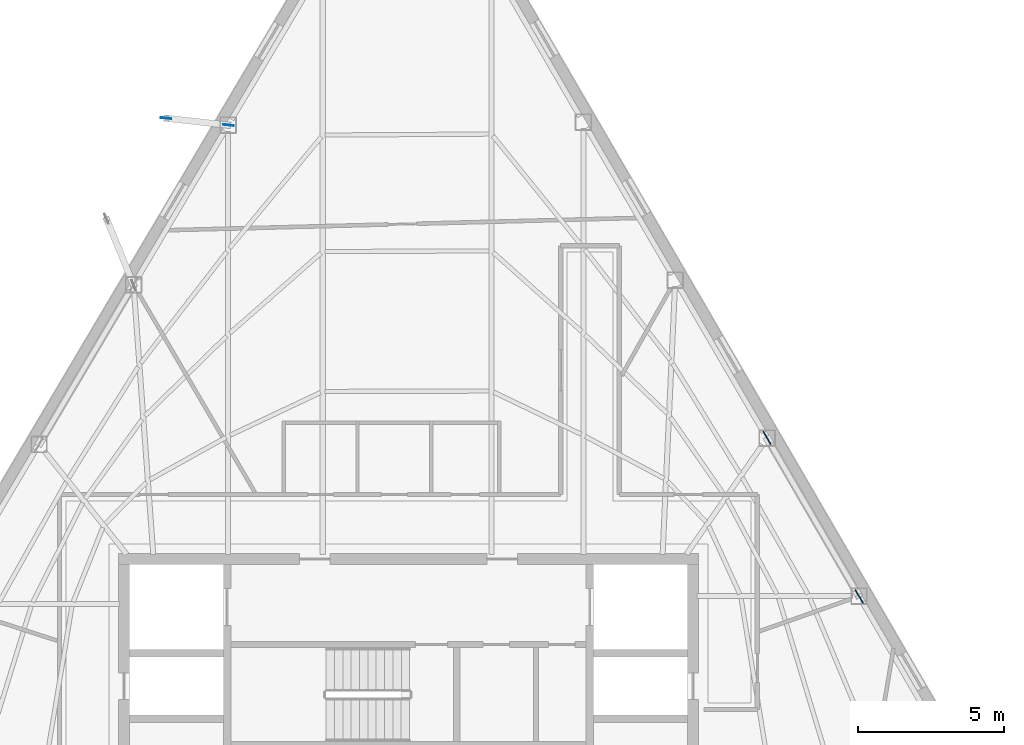
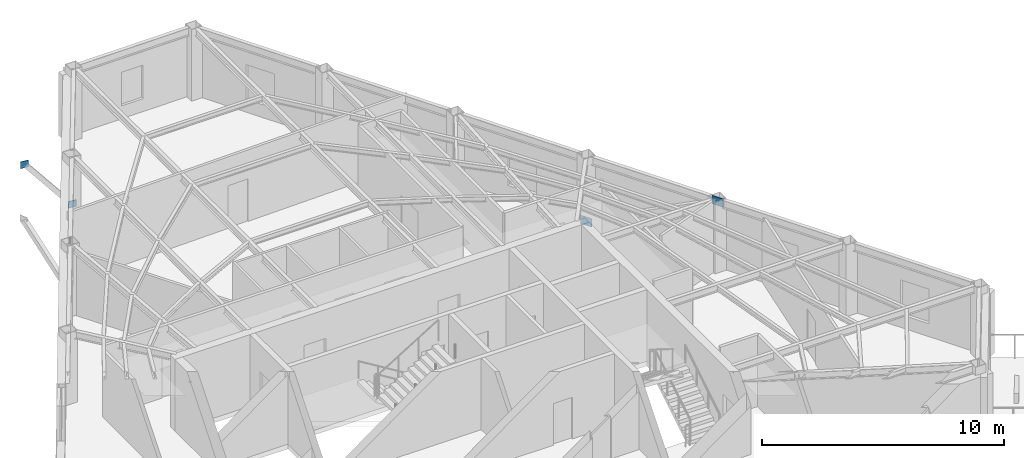
# One storey, part 5 of 10: 4 plates.
"""IFC4 building model written with IfcOpenShell, lengths in metres."""

import ifcopenshell
import ifcopenshell.guid

model = None  # the IFC model being written
_history = None  # IfcOwnerHistory: only IFC2X3 demands one
_inside = {}  # id of a spatial element -> (the spatial element, [elements in it])
_under = {}  # id of a project, library or spatial element -> (it, [spatial elements below it])
_declared = {}  # id of a project -> (the project, [libraries it declares])
_typed = {}  # id of a type object -> (the type object, [elements of that type])
_made_of = {}  # id of a material, layer set ... -> (it, [elements and type objects made of it])


def new_model(schema):
    """Start an empty IFC model of exactly this schema.

    Asked for "IFC4X3", IfcOpenShell would pick the latest addendum, in which some entities
    have other attributes; the version numbers below select the first issue.
    IFC2X3 requires an IfcOwnerHistory on every rooted entity: one is made here for all.
    """
    global model, _history
    if schema == "IFC4X3":
        model = ifcopenshell.file(schema_version=(4, 3, 0, 0))
    else:
        model = ifcopenshell.file(schema=schema)
    _inside.clear()
    _under.clear()
    _declared.clear()
    _typed.clear()
    _made_of.clear()
    _history = None
    if model.schema == "IFC2X3":
        org = make("IfcOrganization", Name="unknown")
        user = make(
            "IfcPersonAndOrganization",
            ThePerson=make("IfcPerson", FamilyName="unknown"),
            TheOrganization=org,
        )
        app = make(
            "IfcApplication",
            ApplicationDeveloper=org,
            Version="unknown",
            ApplicationFullName="unknown",
            ApplicationIdentifier="unknown",
        )
        _history = make(
            "IfcOwnerHistory",
            OwningUser=user,
            OwningApplication=app,
            ChangeAction="ADDED",
            CreationDate=0,
        )
    return model


def make(cls, **values):
    """One entity of the class cls with the attributes given. An attribute that is None is left unset."""
    return model.create_entity(
        cls, **{name: value for name, value in values.items() if value is not None}
    )


def rooted(cls, **values):
    """An entity with a GlobalId (a new one), such as an element, a storey or a relation."""
    return make(cls, GlobalId=ifcopenshell.guid.new(), OwnerHistory=_history, **values)


def si_unit(unit_type, name, prefix=None):
    """IfcSIUnit, for example si_unit("LENGTHUNIT", "METRE", prefix="MILLI")."""
    return make("IfcSIUnit", UnitType=unit_type, Prefix=prefix, Name=name)


def assignment(units):
    """IfcUnitAssignment: the units of a project."""
    return None if units is None else make("IfcUnitAssignment", Units=units)


def point(xyz):
    """IfcCartesianPoint."""
    return None if xyz is None else make("IfcCartesianPoint", Coordinates=xyz)


def direction(xyz):
    """IfcDirection."""
    return None if xyz is None else make("IfcDirection", DirectionRatios=xyz)


def frame(location, z_axis=None, x_axis=None):
    """IfcAxis2Placement3D, a coordinate frame: its origin and axes. An axis left out is left unset."""
    return make(
        "IfcAxis2Placement3D",
        Location=point(location),
        Axis=direction(z_axis),
        RefDirection=direction(x_axis),
    )


def frame_2d(location, x_axis=None):
    """IfcAxis2Placement2D, a coordinate frame in the plane: its origin and x axis."""
    return make(
        "IfcAxis2Placement2D", Location=point(location), RefDirection=direction(x_axis)
    )


def origin():
    """The frame at (0, 0, 0) with its axes left unset."""
    return frame((0.0, 0.0, 0.0))


def origin_2d():
    """The frame at (0, 0) in the plane with its x axis left unset."""
    return frame_2d((0.0, 0.0))


def place(relative_to, where):
    """IfcLocalPlacement: puts the frame where relative to a parent placement (None: the world)."""
    return make(
        "IfcLocalPlacement", PlacementRelTo=relative_to, RelativePlacement=where
    )


def context(
    kind, dimensions, precision=None, world=None, true_north=None, identifier=None
):
    """IfcGeometricRepresentationContext, for example the 3D "Model" context."""
    return make(
        "IfcGeometricRepresentationContext",
        ContextIdentifier=identifier,
        ContextType=kind,
        CoordinateSpaceDimension=dimensions,
        Precision=precision,
        WorldCoordinateSystem=world,
        TrueNorth=true_north,
    )


def subcontext(parent, identifier, kind, view, scale=None):
    """IfcGeometricRepresentationSubContext, for example "Body" below "Model"."""
    return make(
        "IfcGeometricRepresentationSubContext",
        ContextIdentifier=identifier,
        ContextType=kind,
        ParentContext=parent,
        TargetScale=scale,
        TargetView=view,
    )


def project(units=None, contexts=None):
    """IfcProject with its units and contexts."""
    return rooted(
        "IfcProject",
        Name="project",
        RepresentationContexts=contexts,
        UnitsInContext=assignment(units),
    )


def spatial(cls, under=None, at=None, **own):
    """A site, building, storey or space (cls), placed at a placement, below another one or the project."""
    s = rooted(cls, ObjectPlacement=at, **own)
    if under is not None:
        _under.setdefault(under.id(), (under, []))[1].append(s)
    return s


def profile(cls, at=None, kind="AREA", **sizes):
    """A parametric profile (cls). Its sizes go by their IFC names, for example OverallWidth=200.0."""
    return make(cls, ProfileType=kind, Position=at, **sizes)


def rectangle(**sizes):
    """IfcRectangleProfileDef."""
    return profile("IfcRectangleProfileDef", **sizes)


def extrude(swept, where, along, depth):
    """IfcExtrudedAreaSolid: the profile swept, set in the frame where, extruded along a direction by depth."""
    return make(
        "IfcExtrudedAreaSolid",
        SweptArea=swept,
        Position=where,
        ExtrudedDirection=direction(along),
        Depth=depth,
    )


def shape(context_of_items, identifier, shape_type, items):
    """IfcShapeRepresentation: the items that make up one representation, for example the "Body"."""
    return make(
        "IfcShapeRepresentation",
        ContextOfItems=context_of_items,
        RepresentationIdentifier=identifier,
        RepresentationType=shape_type,
        Items=items,
    )


def material(Name=None, Category=None):
    """IfcMaterial."""
    return make("IfcMaterial", Name=Name, Category=Category)


def layer(
    of_material, thickness, ventilated=None, Name=None, Category=None, Priority=None
):
    """IfcMaterialLayer: one layer of a wall or slab, of a material (None: an air gap)."""
    return make(
        "IfcMaterialLayer",
        Material=of_material,
        LayerThickness=thickness,
        IsVentilated=ventilated,
        Name=Name,
        Category=Category,
        Priority=Priority,
    )


def layer_set(layers, Name=None):
    """IfcMaterialLayerSet."""
    return make("IfcMaterialLayerSet", MaterialLayers=layers, LayerSetName=Name)


def made_of(thing, what):
    """Note that an element or type object is made of a material, layer set ...; save() writes the relation."""
    if what is not None:
        _made_of.setdefault(what.id(), (what, []))[1].append(thing)
    return thing


def type_object(cls, material=None, **own):
    """A type object (cls), such as IfcWallType, which elements share."""
    return made_of(rooted(cls, **own), material)


def element(
    cls,
    number,
    at=None,
    inside=None,
    cuts=None,
    type_object=None,
    material=None,
    context=None,
    identifier="Body",
    shape_type=None,
    held_by="IfcProductDefinitionShape",
    body=None,
    shapes=None,
    **own,
):
    """One element of the class cls, such as IfcWall. Its Tag is "e" and its number.

    at: its placement. inside: the storey or other place that contains it. cuts: it is an
    opening in that element (IfcRelVoidsElement). A single representation is given by context,
    identifier, shape_type and body (its items); several are given by shapes. held_by: the class
    of the entity that holds the representations. save() writes the other relations.
    """
    e = rooted(cls, Tag="e%d" % number, ObjectPlacement=at, **own)
    if body is not None:
        shapes = [shape(context, identifier, shape_type, body)]
    if shapes is not None:
        e.Representation = make(held_by, Representations=shapes)
    if inside is not None:
        _inside.setdefault(inside.id(), (inside, []))[1].append(e)
    if cuts is not None:
        rooted(
            "IfcRelVoidsElement", RelatingBuildingElement=cuts, RelatedOpeningElement=e
        )
    if type_object is not None:
        _typed.setdefault(type_object.id(), (type_object, []))[1].append(e)
    return made_of(e, material)


def aggregate(whole, parts):
    """IfcRelAggregates: a whole, such as a stair, and the parts it consists of."""
    return rooted("IfcRelAggregates", RelatingObject=whole, RelatedObjects=parts)


def save(model, path):
    """Write the relations noted so far, then the file.

    IfcRelAggregates (storeys below a building ...), IfcRelContainedInSpatialStructure (elements
    in a storey), IfcRelDefinesByType, IfcRelAssociatesMaterial and IfcRelDeclares: one each for
    every whole, place, type object, material and project.
    """
    for whole, parts in _under.values():
        aggregate(whole, parts)
    for where, things in _inside.values():
        rooted(
            "IfcRelContainedInSpatialStructure",
            RelatedElements=things,
            RelatingStructure=where,
        )
    for kind, things in _typed.values():
        rooted("IfcRelDefinesByType", RelatedObjects=things, RelatingType=kind)
    for what, things in _made_of.values():
        rooted("IfcRelAssociatesMaterial", RelatedObjects=things, RelatingMaterial=what)
    for by, libraries in _declared.values():
        rooted("IfcRelDeclares", RelatingContext=by, RelatedDefinitions=libraries)
    model.write(path)


model = new_model("IFC4")

# Units and contexts
model_context = context("Model", 3, precision=1e-05, world=origin(), true_north=direction((0.0, 1.0)))
body_context = subcontext(model_context, "Body", "Model", "MODEL_VIEW")
ifc_project = project(units=[si_unit("LENGTHUNIT", "METRE"), si_unit("AREAUNIT", "SQUARE_METRE"), si_unit("VOLUMEUNIT", "CUBIC_METRE"), si_unit("PLANEANGLEUNIT", "RADIAN"), si_unit("MASSUNIT", "GRAM", prefix="KILO")], contexts=[model_context])

# Site, building, storey
site_placement = place(None, origin())
site = spatial("IfcSite", under=ifc_project, at=site_placement, CompositionType="ELEMENT")
building_placement = place(site_placement, origin())
building = spatial("IfcBuilding", under=site, at=building_placement, Name="Kavelnor Concourse Tower", CompositionType="ELEMENT")
storey_placement = place(building_placement, frame((0.0, 0.0, 281.85009765625)))
storey = spatial("IfcBuildingStorey", under=building, at=storey_placement, Name="L71", CompositionType="ELEMENT", Elevation=281.85009765625)

# Plates
ifc_material = material(Name="Steel Grade 350", Category="steel")
ifc_layer_1 = layer(ifc_material, 0.028076171875, Name="Steel Grade 350")
ifc_layer_set_1 = layer_set([ifc_layer_1], Name="Steel Grade 350")
plate_type_1 = type_object("IfcPlateType", Name="PL-GUSSET-FOLD", PredefinedType="USERDEFINED", material=ifc_layer_set_1)
for number, where, z_axis, x_axis, name in (
    (1, (31.857177734375, 37.601318359375, 0.8798828125), (0.0, 0.0, 1.0), (-0.9939225904, 0.110081262225, 0.0), "L71 Balcony Strut Gusset GP4 1-A End Gusset A"),
    (2, (29.71875, 37.838134765625, 3.48486328125), (0.0, 0.0, 1.0), (-0.9939225904, 0.110081262225, 0.0), "L71 Balcony Strut Gusset GP4 1-A End Gusset B"),
):
    element("IfcPlate", number, at=place(storey_placement, frame(where, z_axis=z_axis, x_axis=x_axis)), inside=storey, type_object=plate_type_1, Name=name, ObjectType="GUSSET_PLATE", PredefinedType="USERDEFINED", context=body_context, shape_type="SweptSolid", body=[
        extrude(rectangle(XDim=0.360107421875, YDim=0.028076171875, at=origin_2d()), origin(), (0.0, 0.0, 1.0), 0.340087890625),
    ])
ifc_layer_2 = layer(ifc_material, 0.031982421875, Name="Steel Grade 350")
ifc_layer_set_2 = layer_set([ifc_layer_2], Name="Steel Grade 350")
plate_type_2 = type_object("IfcPlateType", Name="PL-GUSSET-TUBE-Z1", PredefinedType="USERDEFINED", material=ifc_layer_set_2)
for number, where, z_axis, x_axis, name in (
    (3, (50.239990234375, 26.92529296875, 0.010009765625), (0.0, 0.0, 1.0), (0.502718227172, -0.864450336381, 0.0), "L71 Tube Brace Gusset GP3 F2-B2 End Gusset A"),
    (4, (53.38916015625, 21.50927734375, 3.197021484375), (0.0, 0.0, 1.0), (0.502718227172, -0.864450336381, 0.0), "L71 Tube Brace Gusset GP3 F2-B2 End Gusset B"),
):
    element("IfcPlate", number, at=place(storey_placement, frame(where, z_axis=z_axis, x_axis=x_axis)), inside=storey, type_object=plate_type_2, Name=name, ObjectType="GUSSET_PLATE", PredefinedType="USERDEFINED", context=body_context, shape_type="SweptSolid", body=[
        extrude(rectangle(XDim=0.52001953125, YDim=0.031982421875, at=origin_2d()), origin(), (0.0, 0.0, 1.0), 0.419921875),
    ])

save(model, "model.ifc")
